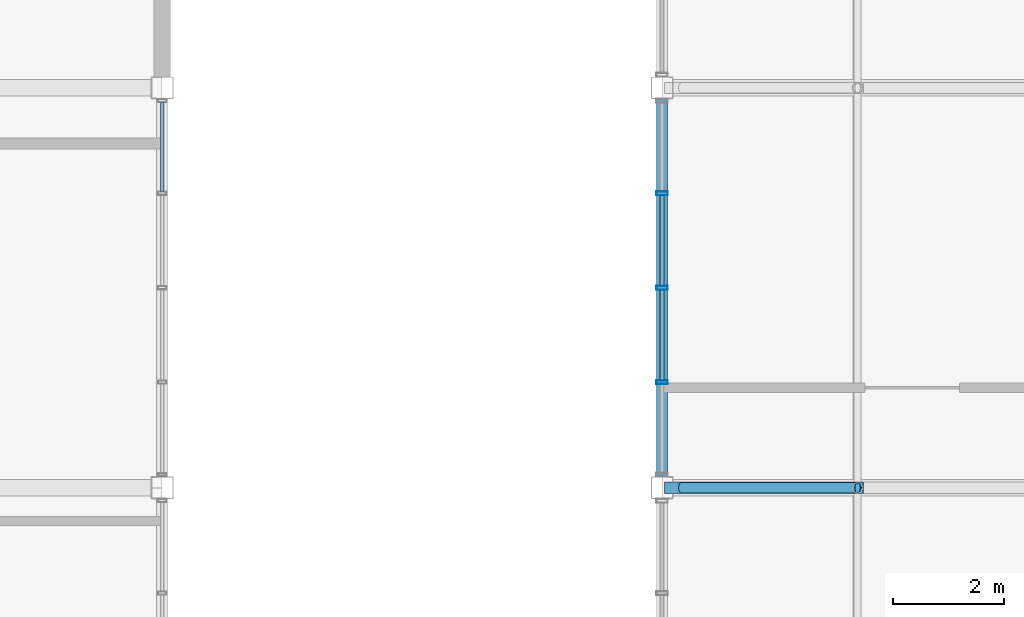
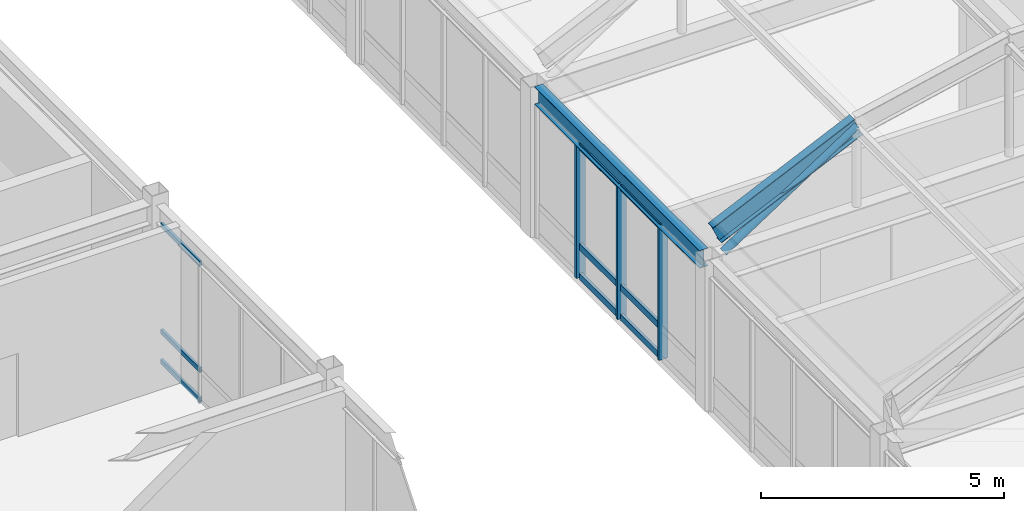
# One storey, part 24 of 106: 14 members, 1 beam, 2 elements without a shape of their own.
"""IFC4 building model written with IfcOpenShell, lengths in metres."""

from ifc_helpers import new_model, si_unit, direction, frame, origin, origin_2d, place, context, subcontext, project, spatial, hollow_rectangle, hollow_circle, i_section, extrude, material, material_profile, profile_set, type_object, element, aggregate, save


model = new_model("IFC4")

# Units and contexts
model_context = context("Model", 3, precision=1e-05, world=origin(), true_north=direction((0.0, 1.0)))
body_context = subcontext(model_context, "Body", "Model", "MODEL_VIEW")
ifc_project = project(units=[si_unit("LENGTHUNIT", "METRE"), si_unit("AREAUNIT", "SQUARE_METRE"), si_unit("VOLUMEUNIT", "CUBIC_METRE"), si_unit("PLANEANGLEUNIT", "RADIAN"), si_unit("MASSUNIT", "GRAM", prefix="KILO")], contexts=[model_context])

# Site, building, storey
site_placement = place(None, origin())
site = spatial("IfcSite", under=ifc_project, at=site_placement, CompositionType="ELEMENT")
building_placement = place(site_placement, origin())
building = spatial("IfcBuilding", under=site, at=building_placement, Name="Kazanami Central Library", CompositionType="ELEMENT")
storey_placement = place(building_placement, frame((0.0, 0.0, 12.800048828125)))
storey = spatial("IfcBuildingStorey", under=building, at=storey_placement, Name="L04", CompositionType="ELEMENT", Elevation=12.800048828125)

# Beam
ifc_material_1 = material(Name="Steel SN490B (325 MPa)", Category="steel")
ifc_material_profile_1 = material_profile(ifc_material_1, i_section(OverallWidth=0.199951171875, OverallDepth=0.449951171875, WebThickness=0.009033203125, FlangeThickness=0.013916015625, at=origin_2d()), Name="H-450x200x9x14")
ifc_profile_set_1 = profile_set([ifc_material_profile_1], Name="Steel SN490B (325 MPa)")
beam_type = type_object("IfcBeamType", Name="BM-SP-2", PredefinedType="SPANDREL", material=ifc_profile_set_1)
beam_placement = place(storey_placement, frame((45.0, 72.197998046875, 3.554931640625), z_axis=(0.0, 1.0, 0.0), x_axis=(-1.0, 0.0, 0.0)))
element("IfcBeam", 1, at=beam_placement, inside=storey, type_object=beam_type, Name="Girder SP-2 L04 6/L-M", PredefinedType="SPANDREL", context=body_context, shape_type="SweptSolid", body=[
    extrude(i_section(OverallWidth=0.199951171875, OverallDepth=0.449951171875, WebThickness=0.009033203125, FlangeThickness=0.013916015625, at=origin_2d()), origin(), (0.0, 0.0, 1.0), 6.803955078125),
])

# Member
ifc_material_profile_2 = material_profile(ifc_material_1, i_section(OverallWidth=0.199951171875, OverallDepth=0.5, WebThickness=0.010009765625, FlangeThickness=0.01611328125, at=origin_2d()), Name="H-500x200x10x16")
ifc_profile_set_2 = profile_set([ifc_material_profile_2], Name="Steel SN490B (325 MPa)")
member_type_1 = type_object("IfcMemberType", Name="MEM-AR-02", PredefinedType="CHORD", material=ifc_profile_set_2)
member_1_placement = place(storey_placement, frame((45.14990234375, 72.0, 4.2548828125), z_axis=(0.908074880538, 0.0, 0.41880784536), x_axis=(0.0, 1.0, 0.0)))
element("IfcMember", 2, at=member_1_placement, inside=storey, type_object=member_type_1, Name="Barrel Vault Arch Rib AR-02 VAULT-WEST Grid L Seg 1", PredefinedType="CHORD", context=body_context, shape_type="SweptSolid", body=[
    extrude(i_section(OverallWidth=0.199951171875, OverallDepth=0.5, WebThickness=0.010009765625, FlangeThickness=0.01611328125, at=origin_2d()), origin(), (0.0, 0.0, 1.0), 3.7109375),
])

# Curtain wall, members
ifc_material_2 = material(Name="Acid-Etched Low-E Laminated Glass", Category="glass")
curtain_wall_type_1 = type_object("IfcCurtainWallType", Name="CW-6800x3330-M180", PredefinedType="USERDEFINED", material=ifc_material_2)
curtain_wall_1_placement = place(storey_placement, origin())
curtain_wall_1 = element("IfcCurtainWall", 3, at=curtain_wall_1_placement, inside=storey, type_object=curtain_wall_type_1, Name="Covered Link Bridge Curtain Wall CW-44 L04 W-6-10", ObjectType="UNITISED CURTAIN WALL", PredefinedType="USERDEFINED")
ifc_material_3 = material(Name="Anodised Aluminium A6063-T5", Category="aluminium")
ifc_material_profile_3 = material_profile(ifc_material_3, hollow_rectangle(XDim=0.070068359375, YDim=0.2099609375, WallThickness=0.0048828125, at=origin_2d()), Name="ALU-MULL-70x210x5")
ifc_profile_set_3 = profile_set([ifc_material_profile_3], Name="Anodised Aluminium A6063-T5")
member_type_2 = type_object("IfcMemberType", Name="MEM-CW-M1", PredefinedType="MULLION", material=ifc_profile_set_3)
member_2_placement = place(storey_placement, frame((45.0, 73.89990234375, 0.0), z_axis=(0.0, 0.0, 1.0), x_axis=(0.0, 1.0, 0.0)))
member_2 = element("IfcMember", 4, at=member_2_placement, type_object=member_type_2, Name="CW-44 mullion 2", PredefinedType="MULLION", context=body_context, shape_type="SweptSolid", body=[
    extrude(hollow_rectangle(XDim=0.070068359375, YDim=0.2099609375, WallThickness=0.0048828125, at=origin_2d()), origin(), (0.0, 0.0, 1.0), 3.329833984375),
])
member_3_placement = place(storey_placement, frame((45.0, 75.60009765625, 0.0), z_axis=(0.0, 0.0, 1.0), x_axis=(0.0, 1.0, 0.0)))
member_3 = element("IfcMember", 5, at=member_3_placement, type_object=member_type_2, Name="CW-44 mullion 3", PredefinedType="MULLION", context=body_context, shape_type="SweptSolid", body=[
    extrude(hollow_rectangle(XDim=0.070068359375, YDim=0.2099609375, WallThickness=0.0048828125, at=origin_2d()), origin(), (0.0, 0.0, 1.0), 3.329833984375),
])
member_4_placement = place(storey_placement, frame((45.0, 77.300048828125, 0.0), z_axis=(0.0, 0.0, 1.0), x_axis=(0.0, 1.0, 0.0)))
member_4 = element("IfcMember", 6, at=member_4_placement, type_object=member_type_2, Name="CW-44 mullion 4", PredefinedType="MULLION", context=body_context, shape_type="SweptSolid", body=[
    extrude(hollow_rectangle(XDim=0.070068359375, YDim=0.2099609375, WallThickness=0.0048828125, at=origin_2d()), origin(), (0.0, 0.0, 1.0), 3.329833984375),
])
ifc_material_profile_4 = material_profile(ifc_material_3, hollow_rectangle(XDim=0.070068359375, YDim=0.159912109375, WallThickness=0.00390625, at=origin_2d()), Name="ALU-TRAN-70x160x4")
ifc_profile_set_4 = profile_set([ifc_material_profile_4], Name="Anodised Aluminium A6063-T5")
member_type_3 = type_object("IfcMemberType", Name="MEM-CW-T1", PredefinedType="USERDEFINED", material=ifc_profile_set_4)
member_5_placement = place(storey_placement, frame((45.0, 73.93505859375, 0.034912109375), z_axis=(0.0, 1.0, 0.0), x_axis=(-1.0, 0.0, 0.0)))
member_5 = element("IfcMember", 7, at=member_5_placement, type_object=member_type_3, Name="CW-44 transom 2.1", ObjectType="TRANSOM", PredefinedType="USERDEFINED", context=body_context, shape_type="SweptSolid", body=[
    extrude(hollow_rectangle(XDim=0.070068359375, YDim=0.159912109375, WallThickness=0.00390625, at=origin_2d()), origin(), (0.0, 0.0, 1.0), 1.6298828125),
])
member_6_placement = place(storey_placement, frame((45.0, 73.93505859375, 0.780029296875), z_axis=(0.0, 1.0, 0.0), x_axis=(-1.0, 0.0, 0.0)))
member_6 = element("IfcMember", 8, at=member_6_placement, type_object=member_type_3, Name="CW-44 transom 2.2", ObjectType="TRANSOM", PredefinedType="USERDEFINED", context=body_context, shape_type="SweptSolid", body=[
    extrude(hollow_rectangle(XDim=0.070068359375, YDim=0.159912109375, WallThickness=0.00390625, at=origin_2d()), origin(), (0.0, 0.0, 1.0), 1.6298828125),
])
member_7_placement = place(storey_placement, frame((45.0, 73.93505859375, 3.294921875), z_axis=(0.0, 1.0, 0.0), x_axis=(-1.0, 0.0, 0.0)))
member_7 = element("IfcMember", 9, at=member_7_placement, type_object=member_type_3, Name="CW-44 transom 2.3", ObjectType="TRANSOM", PredefinedType="USERDEFINED", context=body_context, shape_type="SweptSolid", body=[
    extrude(hollow_rectangle(XDim=0.070068359375, YDim=0.159912109375, WallThickness=0.00390625, at=origin_2d()), origin(), (0.0, 0.0, 1.0), 1.6298828125),
])
member_8_placement = place(storey_placement, frame((45.0, 75.635009765625, 0.034912109375), z_axis=(0.0, 1.0, 0.0), x_axis=(-1.0, 0.0, 0.0)))
member_8 = element("IfcMember", 10, at=member_8_placement, type_object=member_type_3, Name="CW-44 transom 3.1", ObjectType="TRANSOM", PredefinedType="USERDEFINED", context=body_context, shape_type="SweptSolid", body=[
    extrude(hollow_rectangle(XDim=0.070068359375, YDim=0.159912109375, WallThickness=0.00390625, at=origin_2d()), origin(), (0.0, 0.0, 1.0), 1.6298828125),
])
member_9_placement = place(storey_placement, frame((45.0, 75.635009765625, 0.780029296875), z_axis=(0.0, 1.0, 0.0), x_axis=(-1.0, 0.0, 0.0)))
member_9 = element("IfcMember", 11, at=member_9_placement, type_object=member_type_3, Name="CW-44 transom 3.2", ObjectType="TRANSOM", PredefinedType="USERDEFINED", context=body_context, shape_type="SweptSolid", body=[
    extrude(hollow_rectangle(XDim=0.070068359375, YDim=0.159912109375, WallThickness=0.00390625, at=origin_2d()), origin(), (0.0, 0.0, 1.0), 1.6298828125),
])
member_10_placement = place(storey_placement, frame((45.0, 75.635009765625, 3.294921875), z_axis=(0.0, 1.0, 0.0), x_axis=(-1.0, 0.0, 0.0)))
member_10 = element("IfcMember", 12, at=member_10_placement, type_object=member_type_3, Name="CW-44 transom 3.3", ObjectType="TRANSOM", PredefinedType="USERDEFINED", context=body_context, shape_type="SweptSolid", body=[
    extrude(hollow_rectangle(XDim=0.070068359375, YDim=0.159912109375, WallThickness=0.00390625, at=origin_2d()), origin(), (0.0, 0.0, 1.0), 1.6298828125),
])
aggregate(curtain_wall_1, [member_2, member_3, member_4, member_5, member_6, member_7, member_8, member_9, member_10])

curtain_wall_type_2 = type_object("IfcCurtainWallType", Name="CW-6800x3490-M180", PredefinedType="USERDEFINED", material=ifc_material_2)
curtain_wall_2_placement = place(storey_placement, origin())
curtain_wall_2 = element("IfcCurtainWall", 13, at=curtain_wall_2_placement, inside=storey, type_object=curtain_wall_type_2, Name="Covered Link Bridge Curtain Wall CW-43 L04 E-5-10", ObjectType="UNITISED CURTAIN WALL", PredefinedType="USERDEFINED")
ifc_material_profile_5 = material_profile(ifc_material_3, hollow_rectangle(XDim=0.06005859375, YDim=0.1201171875, WallThickness=0.00341796875, at=origin_2d()), Name="ALU-TRAN-60x120x3.5")
ifc_profile_set_5 = profile_set([ifc_material_profile_5], Name="Anodised Aluminium A6063-T5")
member_type_4 = type_object("IfcMemberType", Name="MEM-CW-T3", PredefinedType="USERDEFINED", material=ifc_profile_set_5)
member_11_placement = place(storey_placement, frame((36.0, 78.93994140625, 0.030029296875), z_axis=(0.0, -1.0, 0.0), x_axis=(1.0, 0.0, 0.0)))
member_11 = element("IfcMember", 14, at=member_11_placement, type_object=member_type_4, Name="CW-43 transom 1.1", ObjectType="TRANSOM", PredefinedType="USERDEFINED", context=body_context, shape_type="SweptSolid", body=[
    extrude(hollow_rectangle(XDim=0.06005859375, YDim=0.1201171875, WallThickness=0.00341796875, at=origin_2d()), origin(), (0.0, 0.0, 1.0), 1.60986328125),
])
member_12_placement = place(storey_placement, frame((36.0, 78.93994140625, 0.780029296875), z_axis=(0.0, -1.0, 0.0), x_axis=(1.0, 0.0, 0.0)))
member_12 = element("IfcMember", 15, at=member_12_placement, type_object=member_type_4, Name="CW-43 transom 1.2", ObjectType="TRANSOM", PredefinedType="USERDEFINED", context=body_context, shape_type="SweptSolid", body=[
    extrude(hollow_rectangle(XDim=0.06005859375, YDim=0.1201171875, WallThickness=0.00341796875, at=origin_2d()), origin(), (0.0, 0.0, 1.0), 1.60986328125),
])
member_13_placement = place(storey_placement, frame((36.0, 78.93994140625, 3.4599609375), z_axis=(0.0, -1.0, 0.0), x_axis=(1.0, 0.0, 0.0)))
member_13 = element("IfcMember", 16, at=member_13_placement, type_object=member_type_4, Name="CW-43 transom 1.3", ObjectType="TRANSOM", PredefinedType="USERDEFINED", context=body_context, shape_type="SweptSolid", body=[
    extrude(hollow_rectangle(XDim=0.06005859375, YDim=0.1201171875, WallThickness=0.00341796875, at=origin_2d()), origin(), (0.0, 0.0, 1.0), 1.60986328125),
])
aggregate(curtain_wall_2, [member_11, member_12, member_13])

# Member
ifc_material_4 = material(Name="Steel STK490 (315 MPa)", Category="steel")
ifc_material_profile_6 = material_profile(ifc_material_4, hollow_circle(Radius=0.095458984375, WallThickness=0.007080078125, at=origin_2d()), Name="CHS-190.7x7.0")
ifc_profile_set_6 = profile_set([ifc_material_profile_6], Name="Steel STK490 (315 MPa)")
member_type_5 = type_object("IfcMemberType", Name="MEM-VST-190", PredefinedType="STRUT", material=ifc_profile_set_6)
member_14_placement = place(storey_placement, frame((45.35009765625, 72.0, 3.71484375), z_axis=(0.836759504137, 0.0, 0.547570572837), x_axis=(0.0, 1.0, 0.0)))
element("IfcMember", 17, at=member_14_placement, inside=storey, type_object=member_type_5, Name="Barrel Vault Tied-Arch Diagonal VAULT-WEST Grid L (L)", PredefinedType="BRACE", context=body_context, shape_type="SweptSolid", body=[
    extrude(hollow_circle(Radius=0.095458984375, WallThickness=0.007080078125, at=origin_2d()), origin(), (0.0, 0.0, 1.0), 3.7880859375),
])

save(model, "model.ifc")
